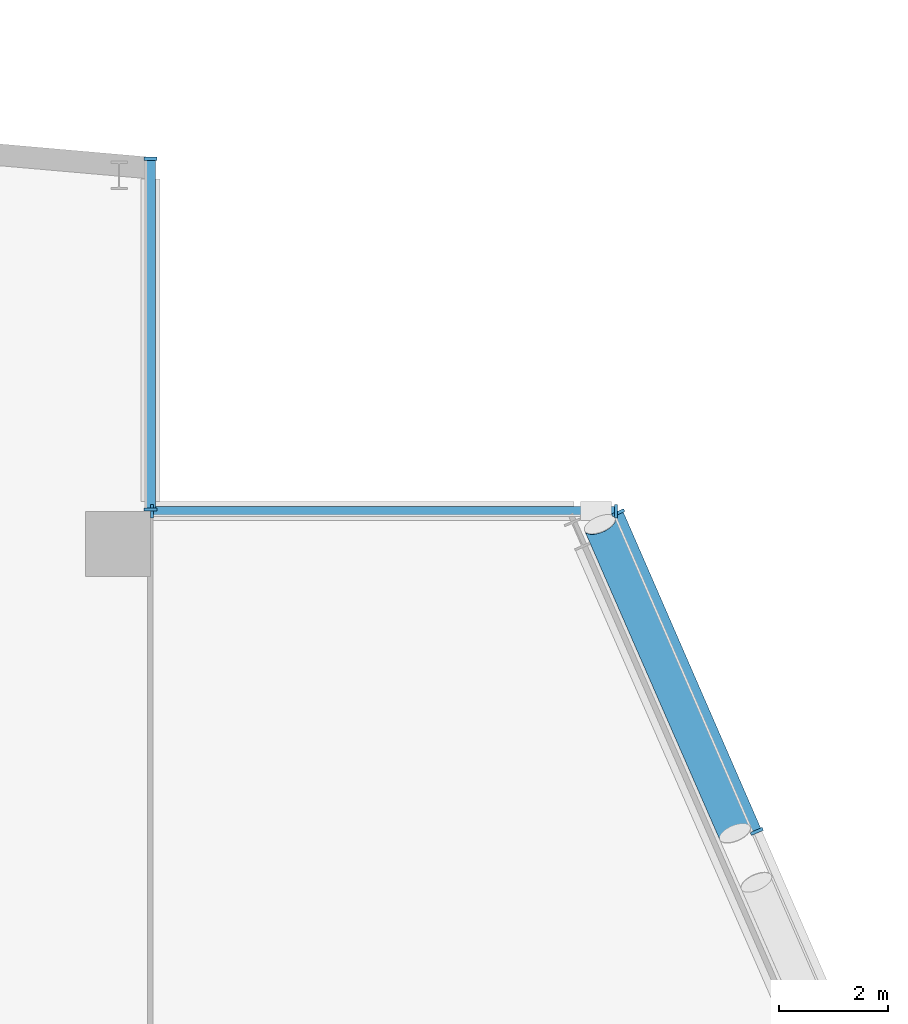
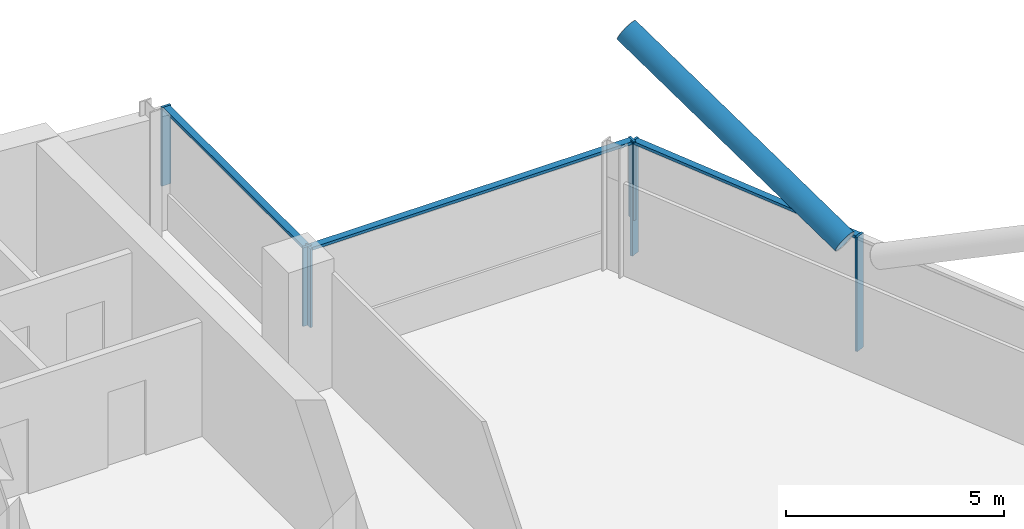
# One storey, part 11 of 26: 10 members, 3 elements without a shape of their own.
"""IFC4 building model written with IfcOpenShell, lengths in metres."""

from ifc_helpers import new_model, si_unit, direction, frame, origin, origin_2d, place, context, subcontext, project, spatial, rectangle, hollow_circle, extrude, material, material_profile, profile_set, type_object, element, aggregate, save


model = new_model("IFC4")

# Units and contexts
model_context = context("Model", 3, precision=1e-05, world=origin(), true_north=direction((0.0, 1.0)))
body_context = subcontext(model_context, "Body", "Model", "MODEL_VIEW")
ifc_project = project(units=[si_unit("LENGTHUNIT", "METRE"), si_unit("AREAUNIT", "SQUARE_METRE"), si_unit("VOLUMEUNIT", "CUBIC_METRE"), si_unit("PLANEANGLEUNIT", "RADIAN"), si_unit("MASSUNIT", "GRAM", prefix="KILO")], contexts=[model_context])

# Site, building, storey
site_placement = place(None, origin())
site = spatial("IfcSite", under=ifc_project, at=site_placement, CompositionType="ELEMENT")
building_placement = place(site_placement, origin())
building = spatial("IfcBuilding", under=site, at=building_placement, Name="Wharfspan Tower", CompositionType="ELEMENT")
storey_placement = place(building_placement, frame((0.0, 0.0, 214.300049)))
storey = spatial("IfcBuildingStorey", under=building, at=storey_placement, Name="L53", CompositionType="ELEMENT", Elevation=214.300049)

# Curtain wall, members
ifc_material_1 = material(Name="Aluminium 6063-T6", Category="aluminium")
curtain_wall_type = type_object("IfcCurtainWallType", Name="CURTAIN WALL PROW AND END", PredefinedType="NOTDEFINED", material=ifc_material_1)
curtain_wall_1_placement = place(storey_placement, origin())
curtain_wall_1 = element("IfcCurtainWall", 1, at=curtain_wall_1_placement, inside=storey, type_object=curtain_wall_type, Name="Curtain wall E", PredefinedType="NOTDEFINED")
ifc_material_profile_1 = material_profile(ifc_material_1, rectangle(XDim=0.23999, YDim=0.060059, at=origin_2d()))
ifc_profile_set_1 = profile_set([ifc_material_profile_1], Name="Aluminium 6063-T6")
member_type_1 = type_object("IfcMemberType", Name="MULLION PROW AND END 60x240", PredefinedType="MULLION", material=ifc_profile_set_1)
member_1_placement = place(storey_placement, frame((72.173828, 36.100098, 0.0), z_axis=(0.0, 0.0, 1.0), x_axis=(-0.917072, -0.398727, 0.0)))
member_1 = element("IfcMember", 2, at=member_1_placement, type_object=member_type_1, Name="Curtain wall E mullion 6", PredefinedType="MULLION", context=body_context, shape_type="SweptSolid", body=[
    extrude(rectangle(XDim=0.23999, YDim=0.060059, at=origin_2d()), origin(), (0.0, 0.0, 1.0), 3.199951),
])
member_2_placement = place(storey_placement, frame((69.620605, 41.972412, 0.0), z_axis=(0.0, 0.0, 1.0), x_axis=(-0.917072, -0.398727, 0.0)))
member_2 = element("IfcMember", 3, at=member_2_placement, type_object=member_type_1, Name="Curtain wall E mullion 7", PredefinedType="MULLION", context=body_context, shape_type="SweptSolid", body=[
    extrude(rectangle(XDim=0.23999, YDim=0.060059, at=origin_2d()), origin(), (0.0, 0.0, 1.0), 3.199951),
])

curtain_wall_2_placement = place(storey_placement, origin())
curtain_wall_2 = element("IfcCurtainWall", 4, at=curtain_wall_2_placement, inside=storey, type_object=curtain_wall_type, Name="Curtain wall NRE-H", PredefinedType="NOTDEFINED")
member_3_placement = place(storey_placement, frame((69.578613, 42.0, 1.0), z_axis=(0.0, 0.0, 1.0), x_axis=(0.0, -1.0, 0.0)))
member_3 = element("IfcMember", 5, at=member_3_placement, type_object=member_type_1, Name="Curtain wall NRE-H mullion 1", PredefinedType="MULLION", context=body_context, shape_type="SweptSolid", body=[
    extrude(rectangle(XDim=0.23999, YDim=0.060059, at=origin_2d()), origin(), (0.0, 0.0, 1.0), 2.199951),
])
member_4_placement = place(storey_placement, frame((61.030029, 42.0, 1.0), z_axis=(0.0, 0.0, 1.0), x_axis=(0.0, -1.0, 0.0)))
member_4 = element("IfcMember", 6, at=member_4_placement, type_object=member_type_1, Name="Curtain wall NRE-H mullion 2", PredefinedType="MULLION", context=body_context, shape_type="SweptSolid", body=[
    extrude(rectangle(XDim=0.23999, YDim=0.060059, at=origin_2d()), origin(), (0.0, 0.0, 1.0), 2.199951),
])

curtain_wall_3_placement = place(storey_placement, origin())
curtain_wall_3 = element("IfcCurtainWall", 7, at=curtain_wall_3_placement, inside=storey, type_object=curtain_wall_type, Name="Curtain wall NRE-V", PredefinedType="NOTDEFINED")
member_5_placement = place(storey_placement, frame((61.0, 42.030029, 1.0), z_axis=(0.0, 0.0, 1.0), x_axis=(-1.0, 0.0, 0.0)))
member_5 = element("IfcMember", 8, at=member_5_placement, type_object=member_type_1, Name="Curtain wall NRE-V mullion 1", PredefinedType="MULLION", context=body_context, shape_type="SweptSolid", body=[
    extrude(rectangle(XDim=0.23999, YDim=0.060059, at=origin_2d()), origin(), (0.0, 0.0, 1.0), 2.199951),
])
member_6_placement = place(storey_placement, frame((61.0, 48.494873, 1.0), z_axis=(0.0, 0.0, 1.0), x_axis=(-1.0, 0.0, 0.0)))
member_6 = element("IfcMember", 9, at=member_6_placement, type_object=member_type_1, Name="Curtain wall NRE-V mullion 2", PredefinedType="MULLION", context=body_context, shape_type="SweptSolid", body=[
    extrude(rectangle(XDim=0.23999, YDim=0.060059, at=origin_2d()), origin(), (0.0, 0.0, 1.0), 2.199951),
])

# Member
ifc_material_2 = material(Name="Steel S460NH", Category="steel")
ifc_material_profile_2 = material_profile(ifc_material_2, hollow_circle(Radius=0.304932, WallThickness=0.024902, at=origin_2d()))
ifc_profile_set_2 = profile_set([ifc_material_profile_2], Name="Steel S460NH")
member_type_2 = type_object("IfcMemberType", Name="Mega brace CHS 610x25", PredefinedType="BRACE", material=ifc_profile_set_2)
member_7_placement = place(storey_placement, frame((71.769775, 36.06958, 3.166504), z_axis=(-0.352903, 0.807102, 0.473334), x_axis=(-0.916243, -0.400624, -1e-06)))
element("IfcMember", 10, at=member_7_placement, inside=storey, type_object=member_type_2, Name="Mega brace E6 L53 part 2", PredefinedType="BRACE", context=body_context, shape_type="SweptSolid", body=[
    extrude(hollow_circle(Radius=0.304932, WallThickness=0.024902, at=origin_2d()), origin(), (0.0, 0.0, 1.0), 7.04248),
])

ifc_material_profile_3 = material_profile(ifc_material_1, rectangle(XDim=0.179932, YDim=0.080078, at=origin_2d()))
ifc_profile_set_3 = profile_set([ifc_material_profile_3], Name="Aluminium 6063-T6")
member_type_3 = type_object("IfcMemberType", Name="TRANSOM PROW AND END 80x180", PredefinedType="USERDEFINED", material=ifc_profile_set_3)
member_8_placement = place(storey_placement, frame((72.161865, 36.127441, 3.159912), z_axis=(-0.398712, 0.917076, 0.0), x_axis=(-0.917076, -0.398712, 0.0)))
member_8 = element("IfcMember", 11, at=member_8_placement, type_object=member_type_3, Name="Curtain wall E transom 6", ObjectType="TRANSOM", PredefinedType="USERDEFINED", context=body_context, shape_type="SweptSolid", body=[
    extrude(rectangle(XDim=0.179932, YDim=0.080078, at=origin_2d()), origin(), (0.0, 0.0, 1.0), 6.34375),
])

aggregate(curtain_wall_1, [member_1, member_2, member_8])

member_9_placement = place(storey_placement, frame((69.548584, 42.0, 3.159912), z_axis=(-1.0, 0.0, 0.0), x_axis=(0.0, -1.0, 0.0)))
member_9 = element("IfcMember", 12, at=member_9_placement, type_object=member_type_3, Name="Curtain wall NRE-H transom 1", ObjectType="TRANSOM", PredefinedType="USERDEFINED", context=body_context, shape_type="SweptSolid", body=[
    extrude(rectangle(XDim=0.179932, YDim=0.080078, at=origin_2d()), origin(), (0.0, 0.0, 1.0), 8.488525),
])

aggregate(curtain_wall_2, [member_3, member_4, member_9])

member_10_placement = place(storey_placement, frame((61.0, 42.060059, 3.159912), z_axis=(0.0, 1.0, 0.0), x_axis=(-1.0, 0.0, 0.0)))
member_10 = element("IfcMember", 13, at=member_10_placement, type_object=member_type_3, Name="Curtain wall NRE-V transom 1", ObjectType="TRANSOM", PredefinedType="USERDEFINED", context=body_context, shape_type="SweptSolid", body=[
    extrude(rectangle(XDim=0.179932, YDim=0.080078, at=origin_2d()), origin(), (0.0, 0.0, 1.0), 6.404785),
])

aggregate(curtain_wall_3, [member_5, member_6, member_10])

save(model, "model.ifc")
